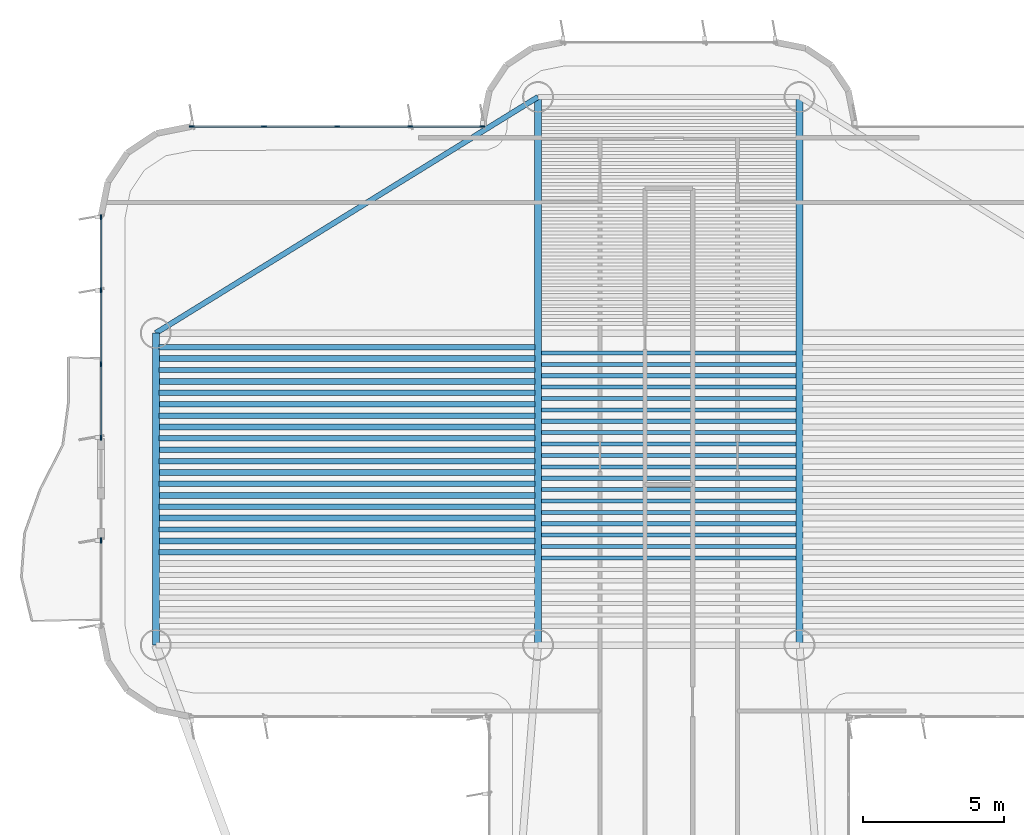
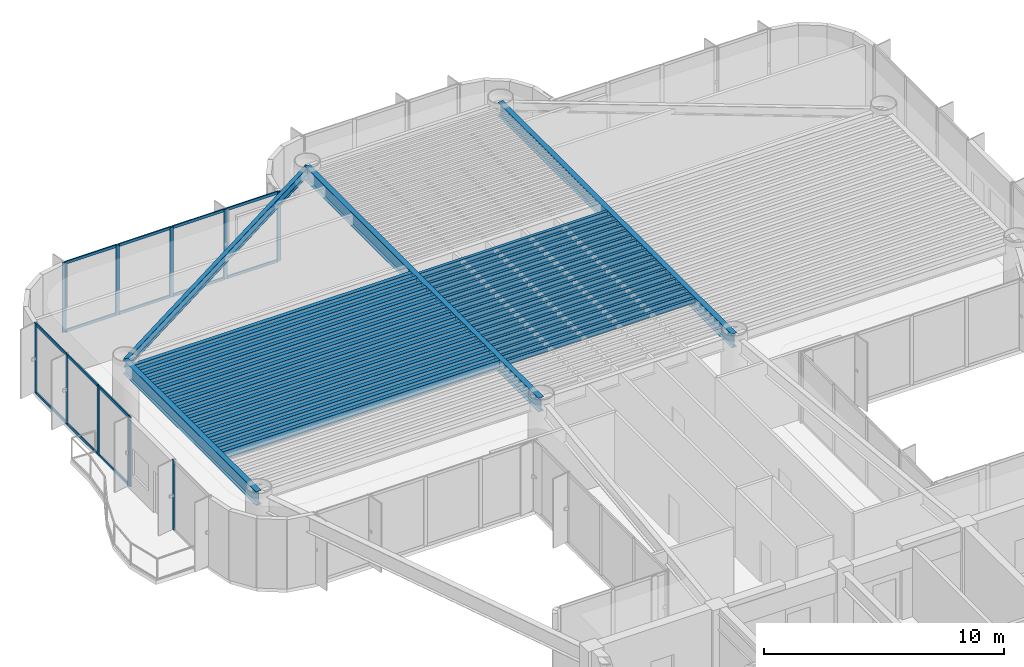
# One storey, part 5 of 13: 42 beams, 24 members, 3 elements without a shape of their own.
"""IFC4 building model written with IfcOpenShell, lengths in metres."""

import ifcopenshell
import ifcopenshell.guid

model = None  # the IFC model being written
_history = None  # IfcOwnerHistory: only IFC2X3 demands one
_inside = {}  # id of a spatial element -> (the spatial element, [elements in it])
_under = {}  # id of a project, library or spatial element -> (it, [spatial elements below it])
_declared = {}  # id of a project -> (the project, [libraries it declares])
_typed = {}  # id of a type object -> (the type object, [elements of that type])
_made_of = {}  # id of a material, layer set ... -> (it, [elements and type objects made of it])


def new_model(schema):
    """Start an empty IFC model of exactly this schema.

    Asked for "IFC4X3", IfcOpenShell would pick the latest addendum, in which some entities
    have other attributes; the version numbers below select the first issue.
    IFC2X3 requires an IfcOwnerHistory on every rooted entity: one is made here for all.
    """
    global model, _history
    if schema == "IFC4X3":
        model = ifcopenshell.file(schema_version=(4, 3, 0, 0))
    else:
        model = ifcopenshell.file(schema=schema)
    _inside.clear()
    _under.clear()
    _declared.clear()
    _typed.clear()
    _made_of.clear()
    _history = None
    if model.schema == "IFC2X3":
        org = make("IfcOrganization", Name="unknown")
        user = make(
            "IfcPersonAndOrganization",
            ThePerson=make("IfcPerson", FamilyName="unknown"),
            TheOrganization=org,
        )
        app = make(
            "IfcApplication",
            ApplicationDeveloper=org,
            Version="unknown",
            ApplicationFullName="unknown",
            ApplicationIdentifier="unknown",
        )
        _history = make(
            "IfcOwnerHistory",
            OwningUser=user,
            OwningApplication=app,
            ChangeAction="ADDED",
            CreationDate=0,
        )
    return model


def make(cls, **values):
    """One entity of the class cls with the attributes given. An attribute that is None is left unset."""
    return model.create_entity(
        cls, **{name: value for name, value in values.items() if value is not None}
    )


def rooted(cls, **values):
    """An entity with a GlobalId (a new one), such as an element, a storey or a relation."""
    return make(cls, GlobalId=ifcopenshell.guid.new(), OwnerHistory=_history, **values)


def si_unit(unit_type, name, prefix=None):
    """IfcSIUnit, for example si_unit("LENGTHUNIT", "METRE", prefix="MILLI")."""
    return make("IfcSIUnit", UnitType=unit_type, Prefix=prefix, Name=name)


def assignment(units):
    """IfcUnitAssignment: the units of a project."""
    return None if units is None else make("IfcUnitAssignment", Units=units)


def point(xyz):
    """IfcCartesianPoint."""
    return None if xyz is None else make("IfcCartesianPoint", Coordinates=xyz)


def direction(xyz):
    """IfcDirection."""
    return None if xyz is None else make("IfcDirection", DirectionRatios=xyz)


def frame(location, z_axis=None, x_axis=None):
    """IfcAxis2Placement3D, a coordinate frame: its origin and axes. An axis left out is left unset."""
    return make(
        "IfcAxis2Placement3D",
        Location=point(location),
        Axis=direction(z_axis),
        RefDirection=direction(x_axis),
    )


def frame_2d(location, x_axis=None):
    """IfcAxis2Placement2D, a coordinate frame in the plane: its origin and x axis."""
    return make(
        "IfcAxis2Placement2D", Location=point(location), RefDirection=direction(x_axis)
    )


def origin():
    """The frame at (0, 0, 0) with its axes left unset."""
    return frame((0.0, 0.0, 0.0))


def origin_2d():
    """The frame at (0, 0) in the plane with its x axis left unset."""
    return frame_2d((0.0, 0.0))


def place(relative_to, where):
    """IfcLocalPlacement: puts the frame where relative to a parent placement (None: the world)."""
    return make(
        "IfcLocalPlacement", PlacementRelTo=relative_to, RelativePlacement=where
    )


def context(
    kind, dimensions, precision=None, world=None, true_north=None, identifier=None
):
    """IfcGeometricRepresentationContext, for example the 3D "Model" context."""
    return make(
        "IfcGeometricRepresentationContext",
        ContextIdentifier=identifier,
        ContextType=kind,
        CoordinateSpaceDimension=dimensions,
        Precision=precision,
        WorldCoordinateSystem=world,
        TrueNorth=true_north,
    )


def subcontext(parent, identifier, kind, view, scale=None):
    """IfcGeometricRepresentationSubContext, for example "Body" below "Model"."""
    return make(
        "IfcGeometricRepresentationSubContext",
        ContextIdentifier=identifier,
        ContextType=kind,
        ParentContext=parent,
        TargetScale=scale,
        TargetView=view,
    )


def project(units=None, contexts=None):
    """IfcProject with its units and contexts."""
    return rooted(
        "IfcProject",
        Name="project",
        RepresentationContexts=contexts,
        UnitsInContext=assignment(units),
    )


def spatial(cls, under=None, at=None, **own):
    """A site, building, storey or space (cls), placed at a placement, below another one or the project."""
    s = rooted(cls, ObjectPlacement=at, **own)
    if under is not None:
        _under.setdefault(under.id(), (under, []))[1].append(s)
    return s


def profile(cls, at=None, kind="AREA", **sizes):
    """A parametric profile (cls). Its sizes go by their IFC names, for example OverallWidth=200.0."""
    return make(cls, ProfileType=kind, Position=at, **sizes)


def rectangle(**sizes):
    """IfcRectangleProfileDef."""
    return profile("IfcRectangleProfileDef", **sizes)


def i_section(**sizes):
    """IfcIShapeProfileDef."""
    return profile("IfcIShapeProfileDef", **sizes)


def extrude(swept, where, along, depth):
    """IfcExtrudedAreaSolid: the profile swept, set in the frame where, extruded along a direction by depth."""
    return make(
        "IfcExtrudedAreaSolid",
        SweptArea=swept,
        Position=where,
        ExtrudedDirection=direction(along),
        Depth=depth,
    )


def shape(context_of_items, identifier, shape_type, items):
    """IfcShapeRepresentation: the items that make up one representation, for example the "Body"."""
    return make(
        "IfcShapeRepresentation",
        ContextOfItems=context_of_items,
        RepresentationIdentifier=identifier,
        RepresentationType=shape_type,
        Items=items,
    )


def source(mapping_origin, context_of_items, identifier, shape_type, items):
    """IfcRepresentationMap: a shape defined once, which mapped items show again and again."""
    return make(
        "IfcRepresentationMap",
        MappingOrigin=mapping_origin,
        MappedRepresentation=shape(context_of_items, identifier, shape_type, items),
    )


def transform(
    local_origin,
    x_axis=None,
    y_axis=None,
    z_axis=None,
    scale=None,
    scale2=None,
    scale3=None,
    uniform=True,
):
    """IfcCartesianTransformationOperator3D, or its non-uniform kind. x_axis, y_axis, z_axis: its Axis1, 2, 3."""
    if uniform:
        return make(
            "IfcCartesianTransformationOperator3D",
            Axis1=direction(x_axis),
            Axis2=direction(y_axis),
            LocalOrigin=point(local_origin),
            Scale=scale,
            Axis3=direction(z_axis),
        )
    return make(
        "IfcCartesianTransformationOperator3DnonUniform",
        Axis1=direction(x_axis),
        Axis2=direction(y_axis),
        LocalOrigin=point(local_origin),
        Scale=scale,
        Axis3=direction(z_axis),
        Scale2=scale2,
        Scale3=scale3,
    )


def mapped(mapping_source, mapping_target):
    """IfcMappedItem: shows the shape of a source again, moved by a transform."""
    return make(
        "IfcMappedItem", MappingSource=mapping_source, MappingTarget=mapping_target
    )


def material(Name=None, Category=None):
    """IfcMaterial."""
    return make("IfcMaterial", Name=Name, Category=Category)


def layer(
    of_material, thickness, ventilated=None, Name=None, Category=None, Priority=None
):
    """IfcMaterialLayer: one layer of a wall or slab, of a material (None: an air gap)."""
    return make(
        "IfcMaterialLayer",
        Material=of_material,
        LayerThickness=thickness,
        IsVentilated=ventilated,
        Name=Name,
        Category=Category,
        Priority=Priority,
    )


def layer_set(layers, Name=None):
    """IfcMaterialLayerSet."""
    return make("IfcMaterialLayerSet", MaterialLayers=layers, LayerSetName=Name)


def material_profile(
    of_material, cross_section, Name=None, Category=None, Priority=None
):
    """IfcMaterialProfile: a cross section and its material."""
    return make(
        "IfcMaterialProfile",
        Name=Name,
        Material=of_material,
        Profile=cross_section,
        Priority=Priority,
        Category=Category,
    )


def profile_set(profiles, Name=None, composite=None):
    """IfcMaterialProfileSet."""
    return make(
        "IfcMaterialProfileSet",
        Name=Name,
        MaterialProfiles=profiles,
        CompositeProfile=composite,
    )


def made_of(thing, what):
    """Note that an element or type object is made of a material, layer set ...; save() writes the relation."""
    if what is not None:
        _made_of.setdefault(what.id(), (what, []))[1].append(thing)
    return thing


def type_object(cls, material=None, **own):
    """A type object (cls), such as IfcWallType, which elements share."""
    return made_of(rooted(cls, **own), material)


def element(
    cls,
    number,
    at=None,
    inside=None,
    cuts=None,
    type_object=None,
    material=None,
    context=None,
    identifier="Body",
    shape_type=None,
    held_by="IfcProductDefinitionShape",
    body=None,
    shapes=None,
    **own,
):
    """One element of the class cls, such as IfcWall. Its Tag is "e" and its number.

    at: its placement. inside: the storey or other place that contains it. cuts: it is an
    opening in that element (IfcRelVoidsElement). A single representation is given by context,
    identifier, shape_type and body (its items); several are given by shapes. held_by: the class
    of the entity that holds the representations. save() writes the other relations.
    """
    e = rooted(cls, Tag="e%d" % number, ObjectPlacement=at, **own)
    if body is not None:
        shapes = [shape(context, identifier, shape_type, body)]
    if shapes is not None:
        e.Representation = make(held_by, Representations=shapes)
    if inside is not None:
        _inside.setdefault(inside.id(), (inside, []))[1].append(e)
    if cuts is not None:
        rooted(
            "IfcRelVoidsElement", RelatingBuildingElement=cuts, RelatedOpeningElement=e
        )
    if type_object is not None:
        _typed.setdefault(type_object.id(), (type_object, []))[1].append(e)
    return made_of(e, material)


def aggregate(whole, parts):
    """IfcRelAggregates: a whole, such as a stair, and the parts it consists of."""
    return rooted("IfcRelAggregates", RelatingObject=whole, RelatedObjects=parts)


def save(model, path):
    """Write the relations noted so far, then the file.

    IfcRelAggregates (storeys below a building ...), IfcRelContainedInSpatialStructure (elements
    in a storey), IfcRelDefinesByType, IfcRelAssociatesMaterial and IfcRelDeclares: one each for
    every whole, place, type object, material and project.
    """
    for whole, parts in _under.values():
        aggregate(whole, parts)
    for where, things in _inside.values():
        rooted(
            "IfcRelContainedInSpatialStructure",
            RelatedElements=things,
            RelatingStructure=where,
        )
    for kind, things in _typed.values():
        rooted("IfcRelDefinesByType", RelatedObjects=things, RelatingType=kind)
    for what, things in _made_of.values():
        rooted("IfcRelAssociatesMaterial", RelatedObjects=things, RelatingMaterial=what)
    for by, libraries in _declared.values():
        rooted("IfcRelDeclares", RelatingContext=by, RelatedDefinitions=libraries)
    model.write(path)


model = new_model("IFC4")

# Units and contexts
model_context = context("Model", 3, precision=1e-05, world=origin(), true_north=direction((0.0, 1.0)))
body_context = subcontext(model_context, "Body", "Model", "MODEL_VIEW")
ifc_project = project(units=[si_unit("LENGTHUNIT", "METRE"), si_unit("AREAUNIT", "SQUARE_METRE"), si_unit("VOLUMEUNIT", "CUBIC_METRE"), si_unit("PLANEANGLEUNIT", "RADIAN"), si_unit("MASSUNIT", "GRAM", prefix="KILO")], contexts=[model_context])

# Site, building, storey
site_placement = place(None, origin())
site = spatial("IfcSite", under=ifc_project, at=site_placement, CompositionType="ELEMENT")
building_placement = place(site_placement, origin())
building = spatial("IfcBuilding", under=site, at=building_placement, Name="Brelvock Crest Care Tower", CompositionType="ELEMENT")
storey_placement = place(building_placement, frame((0.0, 0.0, 190.43994140625)))
storey = spatial("IfcBuildingStorey", under=building, at=storey_placement, Name="L48", CompositionType="ELEMENT", Elevation=190.43994140625)

# Beams
ifc_material_1 = material(Name="Steel Grade 350", Category="steel")
ifc_material_profile_1 = material_profile(ifc_material_1, i_section(OverallWidth=0.14599609375, OverallDepth=0.256103515625, WebThickness=0.00634765625, FlangeThickness=0.010986328125, FilletRadius=0.0087890625, at=origin_2d()), Name="250UB37.3")
ifc_profile_set_1 = profile_set([ifc_material_profile_1], Name="Steel Grade 350")
beam_type_1 = type_object("IfcBeamType", Name="BM-J3", PredefinedType="JOIST", material=ifc_profile_set_1)
shared_shape_1 = source(origin(), body_context, "Body", "SweptSolid", [
    extrude(i_section(OverallWidth=0.14599609375, OverallDepth=0.256103515625, WebThickness=0.00634765625, FlangeThickness=0.010986328125, FilletRadius=0.0087890625, at=origin_2d()), origin(), (0.0, 0.0, 1.0), 9.06982421875),
])
for number, where, z_axis, x_axis, name in (
    (1, (31.465087890625, 38.0498046875, 3.402099609375), (1.0, 0.0, 0.0), (0.0, 1.0, 0.0), "BM-JH-L48-7"),
    (2, (31.465087890625, 38.454833984375, 3.402099609375), (1.0, 0.0, 0.0), (0.0, 1.0, 0.0), "BM-JH-L48-8"),
    (3, (31.465087890625, 38.860107421875, 3.402099609375), (1.0, 0.0, 0.0), (0.0, 1.0, 0.0), "BM-JH-L48-9"),
    (4, (31.465087890625, 39.26513671875, 3.402099609375), (1.0, 0.0, 0.0), (0.0, 1.0, 0.0), "BM-JH-L48-10"),
    (5, (31.465087890625, 39.67041015625, 3.402099609375), (1.0, 0.0, 0.0), (0.0, 1.0, 0.0), "BM-JH-L48-11"),
    (6, (31.465087890625, 40.075439453125, 3.402099609375), (1.0, 0.0, 0.0), (0.0, 1.0, 0.0), "BM-JH-L48-12"),
    (7, (31.465087890625, 40.480712890625, 3.402099609375), (1.0, 0.0, 0.0), (0.0, 1.0, 0.0), "BM-JH-L48-13"),
    (8, (31.465087890625, 40.8857421875, 3.402099609375), (1.0, 0.0, 0.0), (0.0, 1.0, 0.0), "BM-JH-L48-14"),
    (9, (31.465087890625, 41.291015625, 3.402099609375), (1.0, 0.0, 0.0), (0.0, 1.0, 0.0), "BM-JH-L48-15"),
    (10, (31.465087890625, 41.696044921875, 3.402099609375), (1.0, 0.0, 0.0), (0.0, 1.0, 0.0), "BM-JH-L48-16"),
    (11, (31.465087890625, 42.101318359375, 3.402099609375), (1.0, 0.0, 0.0), (0.0, 1.0, 0.0), "BM-JH-L48-17"),
    (12, (31.465087890625, 42.50634765625, 3.402099609375), (1.0, 0.0, 0.0), (0.0, 1.0, 0.0), "BM-JH-L48-18"),
    (13, (31.465087890625, 42.91162109375, 3.402099609375), (1.0, 0.0, 0.0), (0.0, 1.0, 0.0), "BM-JH-L48-19"),
    (14, (31.465087890625, 43.316650390625, 3.402099609375), (1.0, 0.0, 0.0), (0.0, 1.0, 0.0), "BM-JH-L48-20"),
    (15, (31.465087890625, 43.7216796875, 3.402099609375), (1.0, 0.0, 0.0), (0.0, 1.0, 0.0), "BM-JH-L48-21"),
    (16, (31.465087890625, 44.126953125, 3.402099609375), (1.0, 0.0, 0.0), (0.0, 1.0, 0.0), "BM-JH-L48-22"),
    (17, (31.465087890625, 44.531982421875, 3.402099609375), (1.0, 0.0, 0.0), (0.0, 1.0, 0.0), "BM-JH-L48-23"),
    (18, (31.465087890625, 44.937255859375, 3.402099609375), (1.0, 0.0, 0.0), (0.0, 1.0, 0.0), "BM-JH-L48-24"),
    (19, (31.465087890625, 45.34228515625, 3.402099609375), (1.0, 0.0, 0.0), (0.0, 1.0, 0.0), "BM-JH-L48-25"),
):
    element("IfcBeam", number, at=place(storey_placement, frame(where, z_axis=z_axis, x_axis=x_axis)), inside=storey, type_object=beam_type_1, Name=name, PredefinedType="JOIST", context=body_context, shape_type="MappedRepresentation", body=[
        mapped(shared_shape_1, transform((0.0, 0.0, 0.0), x_axis=(1.0, 0.0, 0.0), y_axis=(0.0, 1.0, 0.0), z_axis=(0.0, 0.0, 1.0), scale=1.0)),
    ])
ifc_material_profile_2 = material_profile(ifc_material_1, i_section(OverallWidth=0.208984375, OverallDepth=0.532958984375, WebThickness=0.01025390625, FlangeThickness=0.015625, FilletRadius=0.013916015625, at=origin_2d()), Name="530UB92.4")
ifc_profile_set_2 = profile_set([ifc_material_profile_2], Name="Steel Grade 350")
beam_type_2 = type_object("IfcBeamType", Name="BM-G2", PredefinedType="BEAM", material=ifc_profile_set_2)
shared_shape_2 = source(origin(), body_context, "Body", "SweptSolid", [
    extrude(i_section(OverallWidth=0.208984375, OverallDepth=0.532958984375, WebThickness=0.01025390625, FlangeThickness=0.015625, FilletRadius=0.013916015625, at=origin_2d()), origin(), (0.0, 0.0, 1.0), 13.3701171875),
])
for number, where, z_axis, x_axis, name in (
    (20, (17.864990234375, 38.657470703125, 3.263671875), (1.0, 0.0, 0.0), (0.0, 1.0, 0.0), "BM-JW-L48-9"),
    (21, (17.864990234375, 39.4677734375, 3.263671875), (1.0, 0.0, 0.0), (0.0, 1.0, 0.0), "BM-JW-L48-11"),
    (22, (17.864990234375, 40.278076171875, 3.263671875), (1.0, 0.0, 0.0), (0.0, 1.0, 0.0), "BM-JW-L48-13"),
    (23, (17.864990234375, 41.08837890625, 3.263671875), (1.0, 0.0, 0.0), (0.0, 1.0, 0.0), "BM-JW-L48-15"),
    (24, (17.864990234375, 41.898681640625, 3.263671875), (1.0, 0.0, 0.0), (0.0, 1.0, 0.0), "BM-JW-L48-17"),
    (25, (17.864990234375, 42.708984375, 3.263671875), (1.0, 0.0, 0.0), (0.0, 1.0, 0.0), "BM-JW-L48-19"),
    (26, (17.864990234375, 43.519287109375, 3.263671875), (1.0, 0.0, 0.0), (0.0, 1.0, 0.0), "BM-JW-L48-21"),
    (27, (17.864990234375, 44.32958984375, 3.263671875), (1.0, 0.0, 0.0), (0.0, 1.0, 0.0), "BM-JW-L48-23"),
    (28, (17.864990234375, 45.139892578125, 3.263671875), (1.0, 0.0, 0.0), (0.0, 1.0, 0.0), "BM-JW-L48-25"),
):
    element("IfcBeam", number, at=place(storey_placement, frame(where, z_axis=z_axis, x_axis=x_axis)), inside=storey, type_object=beam_type_2, Name=name, PredefinedType="BEAM", context=body_context, shape_type="MappedRepresentation", body=[
        mapped(shared_shape_2, transform((0.0, 0.0, 0.0), x_axis=(1.0, 0.0, 0.0), y_axis=(0.0, 1.0, 0.0), z_axis=(0.0, 0.0, 1.0), scale=1.0)),
    ])
ifc_material_profile_3 = material_profile(ifc_material_1, i_section(OverallWidth=0.19091796875, OverallDepth=0.4599609375, WebThickness=0.010009765625, FlangeThickness=0.01611328125, FilletRadius=0.011474609375, at=origin_2d()), Name="460UB82.1")
ifc_profile_set_3 = profile_set([ifc_material_profile_3], Name="Steel Grade 350")
beam_type_3 = type_object("IfcBeamType", Name="BM-G3", PredefinedType="BEAM", material=ifc_profile_set_3)
shared_shape_3 = source(origin(), body_context, "Body", "SweptSolid", [
    extrude(i_section(OverallWidth=0.19091796875, OverallDepth=0.4599609375, WebThickness=0.010009765625, FlangeThickness=0.01611328125, FilletRadius=0.011474609375, at=origin_2d()), origin(), (0.0, 0.0, 1.0), 13.3701171875),
])
for number, where, z_axis, x_axis, name in (
    (29, (17.864990234375, 38.252197265625, 3.300048828125), (1.0, 0.0, 0.0), (0.0, 1.0, 0.0), "BM-JW-L48-8"),
    (30, (17.864990234375, 39.0625, 3.300048828125), (1.0, 0.0, 0.0), (0.0, 1.0, 0.0), "BM-JW-L48-10"),
    (31, (17.864990234375, 39.872802734375, 3.300048828125), (1.0, 0.0, 0.0), (0.0, 1.0, 0.0), "BM-JW-L48-12"),
    (32, (17.864990234375, 40.68310546875, 3.300048828125), (1.0, 0.0, 0.0), (0.0, 1.0, 0.0), "BM-JW-L48-14"),
    (33, (17.864990234375, 41.493408203125, 3.300048828125), (1.0, 0.0, 0.0), (0.0, 1.0, 0.0), "BM-JW-L48-16"),
    (34, (17.864990234375, 42.3037109375, 3.300048828125), (1.0, 0.0, 0.0), (0.0, 1.0, 0.0), "BM-JW-L48-18"),
    (35, (17.864990234375, 43.114013671875, 3.300048828125), (1.0, 0.0, 0.0), (0.0, 1.0, 0.0), "BM-JW-L48-20"),
    (36, (17.864990234375, 43.92431640625, 3.300048828125), (1.0, 0.0, 0.0), (0.0, 1.0, 0.0), "BM-JW-L48-22"),
    (37, (17.864990234375, 44.734619140625, 3.300048828125), (1.0, 0.0, 0.0), (0.0, 1.0, 0.0), "BM-JW-L48-24"),
    (38, (17.864990234375, 45.544921875, 3.300048828125), (1.0, 0.0, 0.0), (0.0, 1.0, 0.0), "BM-JW-L48-26"),
):
    element("IfcBeam", number, at=place(storey_placement, frame(where, z_axis=z_axis, x_axis=x_axis)), inside=storey, type_object=beam_type_3, Name=name, PredefinedType="BEAM", context=body_context, shape_type="MappedRepresentation", body=[
        mapped(shared_shape_3, transform((0.0, 0.0, 0.0), x_axis=(1.0, 0.0, 0.0), y_axis=(0.0, 1.0, 0.0), z_axis=(0.0, 0.0, 1.0), scale=1.0)),
    ])
ifc_material_profile_4 = material_profile(ifc_material_1, i_section(OverallWidth=0.25, OverallDepth=0.699951171875, WebThickness=0.011962890625, FlangeThickness=0.02001953125, at=origin_2d()), Name="700WB150")
ifc_profile_set_4 = profile_set([ifc_material_profile_4], Name="Steel Grade 350")
beam_type_4 = type_object("IfcBeamType", Name="BM-G4", PredefinedType="BEAM", material=ifc_profile_set_4)
shared_shape_4 = source(origin(), body_context, "Body", "SweptSolid", [
    extrude(i_section(OverallWidth=0.25, OverallDepth=0.699951171875, WebThickness=0.011962890625, FlangeThickness=0.02001953125, at=origin_2d()), origin(), (0.0, 0.0, 1.0), 11.10009765625),
])
beam_1_placement = place(storey_placement, frame((17.75, 34.949951171875, 3.18017578125), z_axis=(0.0, 1.0, 0.0), x_axis=(-1.0, 0.0, 0.0)))
element("IfcBeam", 39, at=beam_1_placement, inside=storey, type_object=beam_type_4, Name="BM-TWR-L48-01", PredefinedType="BEAM", context=body_context, shape_type="MappedRepresentation", body=[
    mapped(shared_shape_4, transform((0.0, 0.0, 0.0), x_axis=(1.0, 0.0, 0.0), y_axis=(0.0, 1.0, 0.0), z_axis=(0.0, 0.0, 1.0), scale=1.0)),
])
ifc_material_profile_5 = material_profile(ifc_material_1, i_section(OverallWidth=0.19091796875, OverallDepth=0.4599609375, WebThickness=0.010009765625, FlangeThickness=0.01611328125, FilletRadius=0.011474609375, at=origin_2d()), Name="460UB82.1")
ifc_profile_set_5 = profile_set([ifc_material_profile_5], Name="Steel Grade 350")
beam_type_5 = type_object("IfcBeamType", Name="BM-SP2", PredefinedType="SPANDREL", material=ifc_profile_set_5)
shared_shape_5 = source(origin(), body_context, "Body", "SweptSolid", [
    extrude(i_section(OverallWidth=0.19091796875, OverallDepth=0.4599609375, WebThickness=0.010009765625, FlangeThickness=0.01611328125, FilletRadius=0.011474609375, at=origin_2d()), origin(), (0.0, 0.0, 1.0), 15.985107421875),
])
beam_2_placement = place(storey_placement, frame((17.75, 46.050048828125, 3.300048828125), z_axis=(0.850802415717, 0.525485727124, 0.0), x_axis=(-0.525485727124, 0.850802415717, 0.0)))
element("IfcBeam", 40, at=beam_2_placement, inside=storey, type_object=beam_type_5, Name="BM-TWR-L48-06", PredefinedType="SPANDREL", context=body_context, shape_type="MappedRepresentation", body=[
    mapped(shared_shape_5, transform((0.0, 0.0, 0.0), x_axis=(1.0, 0.0, 0.0), y_axis=(0.0, 1.0, 0.0), z_axis=(0.0, 0.0, 1.0), scale=1.0)),
])
shared_shape_6 = source(origin(), body_context, "Body", "SweptSolid", [
    extrude(i_section(OverallWidth=0.25, OverallDepth=0.699951171875, WebThickness=0.011962890625, FlangeThickness=0.02001953125, at=origin_2d()), origin(), (0.0, 0.0, 1.0), 19.5),
])
for number, where, z_axis, x_axis, name in (
    (41, (31.35009765625, 34.949951171875, 3.18017578125), (0.0, 1.0, 0.0), (-1.0, 0.0, 0.0), "BM-TWR-L48-09"),
    (42, (40.64990234375, 34.949951171875, 3.18017578125), (0.0, 1.0, 0.0), (-1.0, 0.0, 0.0), "BM-TWR-L48-10"),
):
    element("IfcBeam", number, at=place(storey_placement, frame(where, z_axis=z_axis, x_axis=x_axis)), inside=storey, type_object=beam_type_4, Name=name, PredefinedType="BEAM", context=body_context, shape_type="MappedRepresentation", body=[
        mapped(shared_shape_6, transform((0.0, 0.0, 0.0), x_axis=(1.0, 0.0, 0.0), y_axis=(0.0, 1.0, 0.0), z_axis=(0.0, 0.0, 1.0), scale=1.0)),
    ])

# Curtain wall, member
ifc_material_2 = material(Name="Dark Glass Double Glazed Low-E", Category="glass")
ifc_layer = layer(ifc_material_2, 0.22509765625, Name="CWS-4")
ifc_layer_set = layer_set([ifc_layer], Name="Dark Glass Double Glazed Low-E")
curtain_wall_type = type_object("IfcCurtainWallType", Name="CWS-4", PredefinedType="NOTDEFINED", material=ifc_layer_set)
curtain_wall_1_placement = place(storey_placement, origin())
curtain_wall_1 = element("IfcCurtainWall", 43, at=curtain_wall_1_placement, inside=storey, type_object=curtain_wall_type, Name="L48 Curtain Wall E17A", PredefinedType="NOTDEFINED")
ifc_material_3 = material(Name="Aluminium 6063-T6", Category="aluminium")
ifc_material_profile_6 = material_profile(ifc_material_3, rectangle(XDim=0.06005859375, YDim=0.179931640625, at=origin_2d()), Name="ALU60x180")
ifc_profile_set_6 = profile_set([ifc_material_profile_6], Name="Aluminium 6063-T6")
member_type_1 = type_object("IfcMemberType", Name="CWM-2", PredefinedType="MULLION", material=ifc_profile_set_6)
shared_shape_7 = source(origin(), body_context, "Body", "SweptSolid", [
    extrude(rectangle(XDim=0.06005859375, YDim=0.179931640625, at=origin_2d()), origin(), (0.0, 0.0, 1.0), 3.530029296875),
])
member_1_placement = place(storey_placement, frame((15.800048828125, 38.669921875, 0.0), z_axis=(0.0, 0.0, 1.0), x_axis=(-1.0, 0.0, 0.0)))
member_1 = element("IfcMember", 44, at=member_1_placement, type_object=member_type_1, Name="CW-4 mullion 2", PredefinedType="MULLION", context=body_context, shape_type="MappedRepresentation", body=[
    mapped(shared_shape_7, transform((0.0, 0.0, 0.0), x_axis=(1.0, 0.0, 0.0), y_axis=(0.0, 1.0, 0.0), z_axis=(0.0, 0.0, 1.0), scale=1.0)),
])
aggregate(curtain_wall_1, [member_1])

# Curtain wall, members
curtain_wall_2_placement = place(storey_placement, origin())
curtain_wall_2 = element("IfcCurtainWall", 45, at=curtain_wall_2_placement, inside=storey, type_object=curtain_wall_type, Name="L48 Curtain Wall E17B", PredefinedType="NOTDEFINED")
member_2_placement = place(storey_placement, frame((15.800048828125, 42.330078125, 0.0), z_axis=(0.0, 0.0, 1.0), x_axis=(-1.0, 0.0, 0.0)))
member_2 = element("IfcMember", 46, at=member_2_placement, type_object=member_type_1, Name="CW-4 mullion 1", PredefinedType="MULLION", context=body_context, shape_type="MappedRepresentation", body=[
    mapped(shared_shape_7, transform((0.0, 0.0, 0.0), x_axis=(1.0, 0.0, 0.0), y_axis=(0.0, 1.0, 0.0), z_axis=(0.0, 0.0, 1.0), scale=1.0)),
])
member_3_placement = place(storey_placement, frame((15.800048828125, 44.933349609375, 0.0), z_axis=(0.0, 0.0, 1.0), x_axis=(-1.0, 0.0, 0.0)))
member_3 = element("IfcMember", 47, at=member_3_placement, type_object=member_type_1, Name="CW-4 mullion 2", PredefinedType="MULLION", context=body_context, shape_type="MappedRepresentation", body=[
    mapped(shared_shape_7, transform((0.0, 0.0, 0.0), x_axis=(1.0, 0.0, 0.0), y_axis=(0.0, 1.0, 0.0), z_axis=(0.0, 0.0, 1.0), scale=1.0)),
])
member_4_placement = place(storey_placement, frame((15.800048828125, 47.566650390625, 0.0), z_axis=(0.0, 0.0, 1.0), x_axis=(-1.0, 0.0, 0.0)))
member_4 = element("IfcMember", 48, at=member_4_placement, type_object=member_type_1, Name="CW-4 mullion 3", PredefinedType="MULLION", context=body_context, shape_type="MappedRepresentation", body=[
    mapped(shared_shape_7, transform((0.0, 0.0, 0.0), x_axis=(1.0, 0.0, 0.0), y_axis=(0.0, 1.0, 0.0), z_axis=(0.0, 0.0, 1.0), scale=1.0)),
])
member_5_placement = place(storey_placement, frame((15.800048828125, 50.169921875, 0.0), z_axis=(0.0, 0.0, 1.0), x_axis=(-1.0, 0.0, 0.0)))
member_5 = element("IfcMember", 49, at=member_5_placement, type_object=member_type_1, Name="CW-4 mullion 4", PredefinedType="MULLION", context=body_context, shape_type="MappedRepresentation", body=[
    mapped(shared_shape_7, transform((0.0, 0.0, 0.0), x_axis=(1.0, 0.0, 0.0), y_axis=(0.0, 1.0, 0.0), z_axis=(0.0, 0.0, 1.0), scale=1.0)),
])

curtain_wall_3_placement = place(storey_placement, origin())
curtain_wall_3 = element("IfcCurtainWall", 50, at=curtain_wall_3_placement, inside=storey, type_object=curtain_wall_type, Name="L48 Curtain Wall E22", PredefinedType="NOTDEFINED")
member_6_placement = place(storey_placement, frame((19.030029296875, 53.39990234375, 0.0), z_axis=(0.0, 0.0, 1.0), x_axis=(0.0, 1.0, 0.0)))
member_6 = element("IfcMember", 51, at=member_6_placement, type_object=member_type_1, Name="CW-4 mullion 1", PredefinedType="MULLION", context=body_context, shape_type="MappedRepresentation", body=[
    mapped(shared_shape_7, transform((0.0, 0.0, 0.0), x_axis=(1.0, 0.0, 0.0), y_axis=(0.0, 1.0, 0.0), z_axis=(0.0, 0.0, 1.0), scale=1.0)),
])
member_7_placement = place(storey_placement, frame((21.60009765625, 53.39990234375, 0.0), z_axis=(0.0, 0.0, 1.0), x_axis=(0.0, 1.0, 0.0)))
member_7 = element("IfcMember", 52, at=member_7_placement, type_object=member_type_1, Name="CW-4 mullion 2", PredefinedType="MULLION", context=body_context, shape_type="MappedRepresentation", body=[
    mapped(shared_shape_7, transform((0.0, 0.0, 0.0), x_axis=(1.0, 0.0, 0.0), y_axis=(0.0, 1.0, 0.0), z_axis=(0.0, 0.0, 1.0), scale=1.0)),
])
member_8_placement = place(storey_placement, frame((24.199951171875, 53.39990234375, 0.0), z_axis=(0.0, 0.0, 1.0), x_axis=(0.0, 1.0, 0.0)))
member_8 = element("IfcMember", 53, at=member_8_placement, type_object=member_type_1, Name="CW-4 mullion 3", PredefinedType="MULLION", context=body_context, shape_type="MappedRepresentation", body=[
    mapped(shared_shape_7, transform((0.0, 0.0, 0.0), x_axis=(1.0, 0.0, 0.0), y_axis=(0.0, 1.0, 0.0), z_axis=(0.0, 0.0, 1.0), scale=1.0)),
])
member_9_placement = place(storey_placement, frame((26.800048828125, 53.39990234375, 0.0), z_axis=(0.0, 0.0, 1.0), x_axis=(0.0, 1.0, 0.0)))
member_9 = element("IfcMember", 54, at=member_9_placement, type_object=member_type_1, Name="CW-4 mullion 4", PredefinedType="MULLION", context=body_context, shape_type="MappedRepresentation", body=[
    mapped(shared_shape_7, transform((0.0, 0.0, 0.0), x_axis=(1.0, 0.0, 0.0), y_axis=(0.0, 1.0, 0.0), z_axis=(0.0, 0.0, 1.0), scale=1.0)),
])
member_10_placement = place(storey_placement, frame((29.3701171875, 53.39990234375, 0.0), z_axis=(0.0, 0.0, 1.0), x_axis=(0.0, 1.0, 0.0)))
member_10 = element("IfcMember", 55, at=member_10_placement, type_object=member_type_1, Name="CW-4 mullion 5", PredefinedType="MULLION", context=body_context, shape_type="MappedRepresentation", body=[
    mapped(shared_shape_7, transform((0.0, 0.0, 0.0), x_axis=(1.0, 0.0, 0.0), y_axis=(0.0, 1.0, 0.0), z_axis=(0.0, 0.0, 1.0), scale=1.0)),
])
ifc_material_profile_7 = material_profile(ifc_material_3, rectangle(XDim=0.06005859375, YDim=0.139892578125, at=origin_2d()), Name="ALU60x140")
ifc_profile_set_7 = profile_set([ifc_material_profile_7], Name="Aluminium 6063-T6")
member_type_2 = type_object("IfcMemberType", Name="CWT-2", PredefinedType="USERDEFINED", material=ifc_profile_set_7)
shared_shape_8 = source(origin(), body_context, "Body", "SweptSolid", [
    extrude(rectangle(XDim=0.06005859375, YDim=0.139892578125, at=origin_2d()), origin(), (0.0, 0.0, 1.0), 2.510009765625),
])
member_11_placement = place(storey_placement, frame((19.06005859375, 53.39990234375, 0.030029296875), z_axis=(1.0, 0.0, 0.0), x_axis=(0.0, 1.0, 0.0)))
member_11 = element("IfcMember", 56, at=member_11_placement, type_object=member_type_2, Name="CW-4 transom 1.1", ObjectType="TRANSOM", PredefinedType="USERDEFINED", context=body_context, shape_type="MappedRepresentation", body=[
    mapped(shared_shape_8, transform((0.0, 0.0, 0.0), x_axis=(1.0, 0.0, 0.0), y_axis=(0.0, 1.0, 0.0), z_axis=(0.0, 0.0, 1.0), scale=1.0)),
])
member_12_placement = place(storey_placement, frame((19.06005859375, 53.39990234375, 3.5), z_axis=(1.0, 0.0, 0.0), x_axis=(0.0, 1.0, 0.0)))
member_12 = element("IfcMember", 57, at=member_12_placement, type_object=member_type_2, Name="CW-4 transom 1.2", ObjectType="TRANSOM", PredefinedType="USERDEFINED", context=body_context, shape_type="MappedRepresentation", body=[
    mapped(shared_shape_8, transform((0.0, 0.0, 0.0), x_axis=(1.0, 0.0, 0.0), y_axis=(0.0, 1.0, 0.0), z_axis=(0.0, 0.0, 1.0), scale=1.0)),
])
member_13_placement = place(storey_placement, frame((26.830078125, 53.39990234375, 0.030029296875), z_axis=(1.0, 0.0, 0.0), x_axis=(0.0, 1.0, 0.0)))
member_13 = element("IfcMember", 58, at=member_13_placement, type_object=member_type_2, Name="CW-4 transom 4.1", ObjectType="TRANSOM", PredefinedType="USERDEFINED", context=body_context, shape_type="MappedRepresentation", body=[
    mapped(shared_shape_8, transform((0.0, 0.0, 0.0), x_axis=(1.0, 0.0, 0.0), y_axis=(0.0, 1.0, 0.0), z_axis=(0.0, 0.0, 1.0), scale=1.0)),
])
member_14_placement = place(storey_placement, frame((26.830078125, 53.39990234375, 3.5), z_axis=(1.0, 0.0, 0.0), x_axis=(0.0, 1.0, 0.0)))
member_14 = element("IfcMember", 59, at=member_14_placement, type_object=member_type_2, Name="CW-4 transom 4.2", ObjectType="TRANSOM", PredefinedType="USERDEFINED", context=body_context, shape_type="MappedRepresentation", body=[
    mapped(shared_shape_8, transform((0.0, 0.0, 0.0), x_axis=(1.0, 0.0, 0.0), y_axis=(0.0, 1.0, 0.0), z_axis=(0.0, 0.0, 1.0), scale=1.0)),
])
shared_shape_9 = source(origin(), body_context, "Body", "SweptSolid", [
    extrude(rectangle(XDim=0.06005859375, YDim=0.139892578125, at=origin_2d()), origin(), (0.0, 0.0, 1.0), 2.5400390625),
])
member_15_placement = place(storey_placement, frame((21.6298828125, 53.39990234375, 0.030029296875), z_axis=(1.0, 0.0, 0.0), x_axis=(0.0, 1.0, 0.0)))
member_15 = element("IfcMember", 60, at=member_15_placement, type_object=member_type_2, Name="CW-4 transom 2.1", ObjectType="TRANSOM", PredefinedType="USERDEFINED", context=body_context, shape_type="MappedRepresentation", body=[
    mapped(shared_shape_9, transform((0.0, 0.0, 0.0), x_axis=(1.0, 0.0, 0.0), y_axis=(0.0, 1.0, 0.0), z_axis=(0.0, 0.0, 1.0), scale=1.0)),
])
member_16_placement = place(storey_placement, frame((21.6298828125, 53.39990234375, 3.5), z_axis=(1.0, 0.0, 0.0), x_axis=(0.0, 1.0, 0.0)))
member_16 = element("IfcMember", 61, at=member_16_placement, type_object=member_type_2, Name="CW-4 transom 2.2", ObjectType="TRANSOM", PredefinedType="USERDEFINED", context=body_context, shape_type="MappedRepresentation", body=[
    mapped(shared_shape_9, transform((0.0, 0.0, 0.0), x_axis=(1.0, 0.0, 0.0), y_axis=(0.0, 1.0, 0.0), z_axis=(0.0, 0.0, 1.0), scale=1.0)),
])
member_17_placement = place(storey_placement, frame((24.22998046875, 53.39990234375, 0.030029296875), z_axis=(1.0, 0.0, 0.0), x_axis=(0.0, 1.0, 0.0)))
member_17 = element("IfcMember", 62, at=member_17_placement, type_object=member_type_2, Name="CW-4 transom 3.1", ObjectType="TRANSOM", PredefinedType="USERDEFINED", context=body_context, shape_type="MappedRepresentation", body=[
    mapped(shared_shape_9, transform((0.0, 0.0, 0.0), x_axis=(1.0, 0.0, 0.0), y_axis=(0.0, 1.0, 0.0), z_axis=(0.0, 0.0, 1.0), scale=1.0)),
])
member_18_placement = place(storey_placement, frame((24.22998046875, 53.39990234375, 3.5), z_axis=(1.0, 0.0, 0.0), x_axis=(0.0, 1.0, 0.0)))
member_18 = element("IfcMember", 63, at=member_18_placement, type_object=member_type_2, Name="CW-4 transom 3.2", ObjectType="TRANSOM", PredefinedType="USERDEFINED", context=body_context, shape_type="MappedRepresentation", body=[
    mapped(shared_shape_9, transform((0.0, 0.0, 0.0), x_axis=(1.0, 0.0, 0.0), y_axis=(0.0, 1.0, 0.0), z_axis=(0.0, 0.0, 1.0), scale=1.0)),
])
aggregate(curtain_wall_3, [member_6, member_7, member_8, member_9, member_10, member_11, member_12, member_15, member_16, member_17, member_18, member_13, member_14])

# Member
shared_shape_10 = source(origin(), body_context, "Body", "SweptSolid", [
    extrude(rectangle(XDim=0.06005859375, YDim=0.139892578125, at=origin_2d()), origin(), (0.0, 0.0, 1.0), 2.543212890625),
])
member_19_placement = place(storey_placement, frame((15.800048828125, 42.360107421875, 0.030029296875), z_axis=(0.0, 1.0, 0.0), x_axis=(-1.0, 0.0, 0.0)))
member_19 = element("IfcMember", 64, at=member_19_placement, type_object=member_type_2, Name="CW-4 transom 1.1", ObjectType="TRANSOM", PredefinedType="USERDEFINED", context=body_context, shape_type="MappedRepresentation", body=[
    mapped(shared_shape_10, transform((0.0, 0.0, 0.0), x_axis=(1.0, 0.0, 0.0), y_axis=(0.0, 1.0, 0.0), z_axis=(0.0, 0.0, 1.0), scale=1.0)),
])

member_20_placement = place(storey_placement, frame((15.800048828125, 42.360107421875, 3.5), z_axis=(0.0, 1.0, 0.0), x_axis=(-1.0, 0.0, 0.0)))
member_20 = element("IfcMember", 65, at=member_20_placement, type_object=member_type_2, Name="CW-4 transom 1.2", ObjectType="TRANSOM", PredefinedType="USERDEFINED", context=body_context, shape_type="MappedRepresentation", body=[
    mapped(shared_shape_10, transform((0.0, 0.0, 0.0), x_axis=(1.0, 0.0, 0.0), y_axis=(0.0, 1.0, 0.0), z_axis=(0.0, 0.0, 1.0), scale=1.0)),
])

member_21_placement = place(storey_placement, frame((15.800048828125, 47.5966796875, 0.030029296875), z_axis=(0.0, 1.0, 0.0), x_axis=(-1.0, 0.0, 0.0)))
member_21 = element("IfcMember", 66, at=member_21_placement, type_object=member_type_2, Name="CW-4 transom 3.1", ObjectType="TRANSOM", PredefinedType="USERDEFINED", context=body_context, shape_type="MappedRepresentation", body=[
    mapped(shared_shape_10, transform((0.0, 0.0, 0.0), x_axis=(1.0, 0.0, 0.0), y_axis=(0.0, 1.0, 0.0), z_axis=(0.0, 0.0, 1.0), scale=1.0)),
])

member_22_placement = place(storey_placement, frame((15.800048828125, 47.5966796875, 3.5), z_axis=(0.0, 1.0, 0.0), x_axis=(-1.0, 0.0, 0.0)))
member_22 = element("IfcMember", 67, at=member_22_placement, type_object=member_type_2, Name="CW-4 transom 3.2", ObjectType="TRANSOM", PredefinedType="USERDEFINED", context=body_context, shape_type="MappedRepresentation", body=[
    mapped(shared_shape_10, transform((0.0, 0.0, 0.0), x_axis=(1.0, 0.0, 0.0), y_axis=(0.0, 1.0, 0.0), z_axis=(0.0, 0.0, 1.0), scale=1.0)),
])

shared_shape_11 = source(origin(), body_context, "Body", "SweptSolid", [
    extrude(rectangle(XDim=0.06005859375, YDim=0.139892578125, at=origin_2d()), origin(), (0.0, 0.0, 1.0), 2.5732421875),
])
member_23_placement = place(storey_placement, frame((15.800048828125, 44.96337890625, 0.030029296875), z_axis=(0.0, 1.0, 0.0), x_axis=(-1.0, 0.0, 0.0)))
member_23 = element("IfcMember", 68, at=member_23_placement, type_object=member_type_2, Name="CW-4 transom 2.1", ObjectType="TRANSOM", PredefinedType="USERDEFINED", context=body_context, shape_type="MappedRepresentation", body=[
    mapped(shared_shape_11, transform((0.0, 0.0, 0.0), x_axis=(1.0, 0.0, 0.0), y_axis=(0.0, 1.0, 0.0), z_axis=(0.0, 0.0, 1.0), scale=1.0)),
])

member_24_placement = place(storey_placement, frame((15.800048828125, 44.96337890625, 3.5), z_axis=(0.0, 1.0, 0.0), x_axis=(-1.0, 0.0, 0.0)))
member_24 = element("IfcMember", 69, at=member_24_placement, type_object=member_type_2, Name="CW-4 transom 2.2", ObjectType="TRANSOM", PredefinedType="USERDEFINED", context=body_context, shape_type="MappedRepresentation", body=[
    mapped(shared_shape_11, transform((0.0, 0.0, 0.0), x_axis=(1.0, 0.0, 0.0), y_axis=(0.0, 1.0, 0.0), z_axis=(0.0, 0.0, 1.0), scale=1.0)),
])

aggregate(curtain_wall_2, [member_2, member_3, member_4, member_5, member_19, member_20, member_23, member_24, member_21, member_22])

save(model, "model.ifc")
